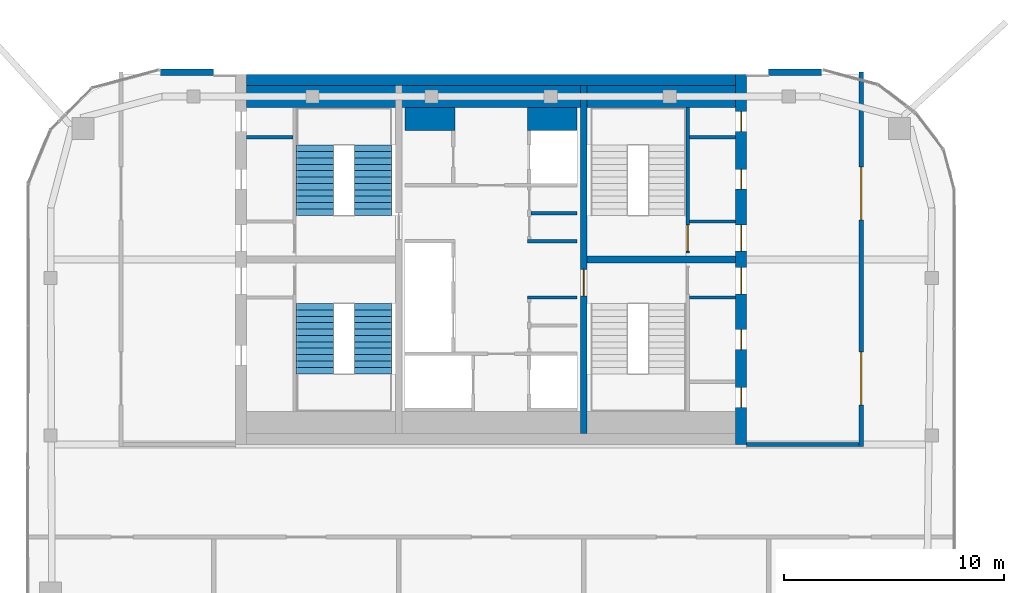
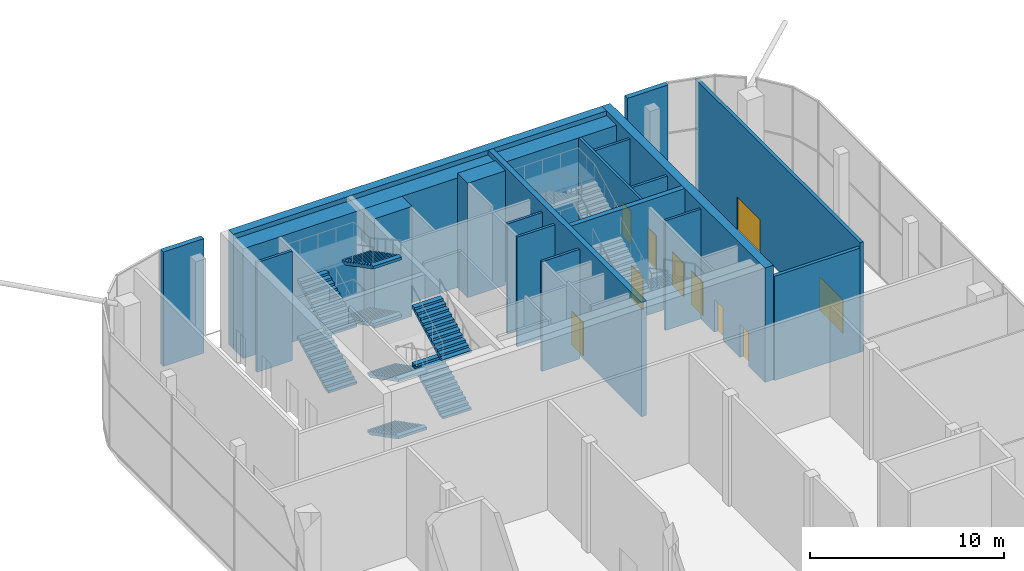
# One storey, part 20 of 23: 19 walls, 10 doors, 8 stair flights, 10 openings, 2 elements without a shape of their own.
"""IFC4 building model written with IfcOpenShell, lengths in metres."""

from ifc_helpers import new_model, si_unit, direction, frame, frame_2d, origin, place, context, subcontext, project, spatial, polyline, rectangle, outline, extrude, material, layer, layer_set, type_object, element, fill, aggregate, save


model = new_model("IFC4")

# Units and contexts
model_context = context("Model", 3, precision=1e-05, world=origin(), true_north=direction((0.0, 1.0)))
body_context = subcontext(model_context, "Body", "Model", "MODEL_VIEW")
ifc_project = project(units=[si_unit("LENGTHUNIT", "METRE"), si_unit("AREAUNIT", "SQUARE_METRE"), si_unit("VOLUMEUNIT", "CUBIC_METRE"), si_unit("PLANEANGLEUNIT", "RADIAN"), si_unit("MASSUNIT", "GRAM", prefix="KILO")], contexts=[model_context])

# Site, building, storey
site_placement = place(None, origin())
site = spatial("IfcSite", under=ifc_project, at=site_placement, CompositionType="ELEMENT")
building_placement = place(site_placement, origin())
building = spatial("IfcBuilding", under=site, at=building_placement, Name="Marenta Gate Hotel Tower", CompositionType="ELEMENT")
storey_placement = place(building_placement, frame((0.0, 0.0, 288.5)))
storey = spatial("IfcBuildingStorey", under=building, at=storey_placement, Name="L66", CompositionType="ELEMENT", Elevation=288.5)

# Walls
ifc_material_1 = material(Name="Concrete C40 board-marked", Category="concrete")
ifc_layer_1 = layer(ifc_material_1, 0.300048828125)
ifc_layer_set_1 = layer_set([ifc_layer_1], Name="Concrete C40 board-marked")
wall_type_1 = type_object("IfcWallType", Name="Board-marked concrete wall 300 mm", PredefinedType="NOTDEFINED", material=ifc_layer_set_1)
for number, where, z_axis, x_axis, name in (
    (1, (15.005859375, 16.889892578125, 0.0), (0.0, 0.0, 1.0), (-1.0, 0.0, 0.0), "L66-CLD-N00"),
    (2, (-12.60009765625, 16.889892578125, 0.0), (0.0, 0.0, 1.0), (-1.0, 0.0, 0.0), "L66-CLD-N01"),
):
    element("IfcWall", number, at=place(storey_placement, frame(where, z_axis=z_axis, x_axis=x_axis)), inside=storey, type_object=wall_type_1, Name=name, PredefinedType="NOTDEFINED", context=body_context, shape_type="SweptSolid", body=[
        extrude(rectangle(XDim=2.40576171875, YDim=0.300048828125, at=frame_2d((1.202880859375, 0.0))), origin(), (0.0, 0.0, 1.0), 7.199951171875),
    ])

# Wall, openings, doors
ifc_material_2 = material(Name="Concrete blockwork", Category="masonry")
ifc_layer_2 = layer(ifc_material_2, 0.199951171875)
ifc_layer_set_2 = layer_set([ifc_layer_2], Name="Concrete blockwork")
wall_type_2 = type_object("IfcWallType", Name="Core boundary wall 200 REI 180", PredefinedType="PARTITIONING", material=ifc_layer_set_2)
wall_1_placement = place(storey_placement, frame((16.800048828125, -0.10009765625, 0.0), z_axis=(0.0, 0.0, 1.0), x_axis=(0.0, 1.0, 0.0)))
wall_1 = element("IfcWall", 3, at=wall_1_placement, inside=storey, type_object=wall_type_2, Name="L66-CP-BW-E", PredefinedType="PARTITIONING", context=body_context, shape_type="SweptSolid", body=[
    extrude(rectangle(XDim=17.0, YDim=0.199951171875, at=frame_2d((8.5, 0.0))), origin(), (0.0, 0.0, 1.0), 6.89990234375),
])
opening_1_placement = place(wall_1_placement, frame((1.89990234375, 0.0, 0.0)))
opening_1 = element("IfcOpeningElement", 4, at=opening_1_placement, cuts=wall_1, Name="Opening ED-Ea-A", PredefinedType="OPENING", context=body_context, shape_type="SweptSolid", body=[
    extrude(rectangle(XDim=2.39990234375, YDim=2.10009765625, at=frame_2d((1.199951171875, 1.050048828125))), frame((0.0, 0.10009765625, 0.0), z_axis=(0.0, -1.0, 0.0), x_axis=(1.0, 0.0, 0.0)), (0.0, 0.0, 1.0), 0.199951171875),
])
opening_2_placement = place(wall_1_placement, frame((10.300048828125, 0.0, 0.0)))
opening_2 = element("IfcOpeningElement", 5, at=opening_2_placement, cuts=wall_1, Name="Opening ED-Eb-A", PredefinedType="OPENING", context=body_context, shape_type="SweptSolid", body=[
    extrude(rectangle(XDim=2.39990234375, YDim=2.10009765625, at=frame_2d((1.199951171875, 1.050048828125))), frame((0.0, 0.10009765625, 0.0), z_axis=(0.0, -1.0, 0.0), x_axis=(1.0, 0.0, 0.0)), (0.0, 0.0, 1.0), 0.199951171875),
])
ifc_material_3 = material(Name="Steel", Category="steel")
door_type_1 = type_object("IfcDoorType", Name="Core lobby entrance door 2400x2100 EI 60", OperationType="DOUBLE_DOOR_SINGLE_SWING", PredefinedType="DOOR", material=ifc_material_3)
door_1_placement = place(opening_1_placement, origin())
door_1 = element("IfcDoor", 6, at=door_1_placement, inside=storey, type_object=door_type_1, Name="ED-Ea-A", OperationType="DOUBLE_DOOR_SINGLE_SWING", OverallHeight=2.10009765625, OverallWidth=2.39990234375, PredefinedType="DOOR", context=body_context, shape_type="SweptSolid", body=[
    extrude(rectangle(XDim=2.39990234375, YDim=2.10009765625, at=frame_2d((1.199951171875, 1.050048828125))), frame((0.0, 0.02490234375, 0.0), z_axis=(0.0, -1.0, 0.0), x_axis=(1.0, 0.0, 0.0)), (0.0, 0.0, 1.0), 0.050048828125),
])
fill(opening_1, door_1)
door_2_placement = place(opening_2_placement, origin())
door_2 = element("IfcDoor", 7, at=door_2_placement, inside=storey, type_object=door_type_1, Name="ED-Eb-A", OperationType="DOUBLE_DOOR_SINGLE_SWING", OverallHeight=2.10009765625, OverallWidth=2.39990234375, PredefinedType="DOOR", context=body_context, shape_type="SweptSolid", body=[
    extrude(rectangle(XDim=2.39990234375, YDim=2.10009765625, at=frame_2d((1.199951171875, 1.050048828125))), frame((0.0, 0.02490234375, 0.0), z_axis=(0.0, -1.0, 0.0), x_axis=(1.0, 0.0, 0.0)), (0.0, 0.0, 1.0), 0.050048828125),
])
fill(opening_2, door_2)

# Walls
wall_2_placement = place(storey_placement, frame((11.60009765625, 0.0, 0.0), z_axis=(0.0, 0.0, 1.0), x_axis=(1.0, 0.0, 0.0)))
element("IfcWall", 8, at=wall_2_placement, inside=storey, type_object=wall_type_2, Name="L66-CP-EW-ES", PredefinedType="PARTITIONING", context=body_context, shape_type="SweptSolid", body=[
    extrude(rectangle(XDim=5.099853515625, YDim=0.199951171875, at=frame_2d((2.5498046875, 0.0))), origin(), (0.0, 0.0, 1.0), 6.56005859375),
])
ifc_material_4 = material(Name="Concrete C40", Category="concrete")
ifc_layer_3 = layer(ifc_material_4, 1.0)
ifc_layer_set_3 = layer_set([ifc_layer_3], Name="Concrete C40")
wall_type_3 = type_object("IfcWallType", Name="Core lining wall 1000 REI 180", PredefinedType="PARTITIONING", material=ifc_layer_set_3)
wall_3_placement = place(storey_placement, frame((-11.10009765625, 15.800048828125, 0.0), z_axis=(0.0, 0.0, 1.0), x_axis=(1.0, 0.0, 0.0)))
element("IfcWall", 9, at=wall_3_placement, inside=storey, type_object=wall_type_3, Name="L66-CP-LN-N", PredefinedType="PARTITIONING", context=body_context, shape_type="SweptSolid", body=[
    extrude(rectangle(XDim=22.2001953125, YDim=1.0, at=frame_2d((11.10009765625, 0.0))), origin(), (0.0, 0.0, 1.0), 6.89990234375),
])
ifc_material_5 = material(Name="Concrete blockwork", Category="masonry")
ifc_layer_4 = layer(ifc_material_5, 1.050048828125)
ifc_layer_set_4 = layer_set([ifc_layer_4], Name="Concrete blockwork")
wall_type_4 = type_object("IfcWallType", Name="Core room partition 1050 REI 180", PredefinedType="PARTITIONING", material=ifc_layer_set_4)
wall_4_placement = place(storey_placement, frame((-3.89990234375, 14.77490234375, 0.0), z_axis=(0.0, 0.0, 1.0), x_axis=(1.0, 0.0, 0.0)))
element("IfcWall", 10, at=wall_4_placement, inside=storey, type_object=wall_type_4, Name="L66-CP-CW-W-riser-N", PredefinedType="PARTITIONING", context=body_context, shape_type="SweptSolid", body=[
    extrude(rectangle(XDim=2.25, YDim=1.050048828125, at=frame_2d((1.125, 0.0))), origin(), (0.0, 0.0, 1.0), 6.89990234375),
])
ifc_material_6 = material(Name="Concrete blockwork", Category="masonry")
ifc_layer_5 = layer(ifc_material_6, 0.14990234375)
ifc_layer_set_5 = layer_set([ifc_layer_5], Name="Concrete blockwork")
wall_type_5 = type_object("IfcWallType", Name="Core room partition 150 REI 180", PredefinedType="PARTITIONING", material=ifc_layer_set_5)
for number, where, z_axis, x_axis, name in (
    (11, (-11.10009765625, 13.949951171875, 0.0), (0.0, 0.0, 1.0), (1.0, 0.0, 0.0), "L66-CP-RW-WN-1"),
    (12, (9.0, 6.675048828125, 0.0), (0.0, 0.0, 1.0), (1.0, 0.0, 0.0), "L66-CP-SW-ES-2"),
    (13, (9.0, 10.125, 0.0), (0.0, 0.0, 1.0), (1.0, 0.0, 0.0), "L66-CP-SW-EN-2"),
    (14, (9.0, 13.949951171875, 0.0), (0.0, 0.0, 1.0), (1.0, 0.0, 0.0), "L66-CP-RW-EN-1"),
):
    element("IfcWall", number, at=place(storey_placement, frame(where, z_axis=z_axis, x_axis=x_axis)), inside=storey, type_object=wall_type_5, Name=name, PredefinedType="PARTITIONING", context=body_context, shape_type="SweptSolid", body=[
        extrude(rectangle(XDim=2.10009765625, YDim=0.14990234375, at=frame_2d((1.050048828125, 0.0))), origin(), (0.0, 0.0, 1.0), 6.89990234375),
    ])
for number, where, z_axis, x_axis, name in (
    (15, (1.64990234375, 6.675048828125, 0.0), (0.0, 0.0, 1.0), (1.0, 0.0, 0.0), "L66-CP-CE-sep1"),
    (16, (1.64990234375, 9.22509765625, 0.0), (0.0, 0.0, 1.0), (1.0, 0.0, 0.0), "L66-CP-CE-sep2"),
):
    element("IfcWall", number, at=place(storey_placement, frame(where, z_axis=z_axis, x_axis=x_axis)), inside=storey, type_object=wall_type_5, Name=name, PredefinedType="PARTITIONING", context=body_context, shape_type="SweptSolid", body=[
        extrude(rectangle(XDim=2.25, YDim=0.14990234375, at=frame_2d((1.125, 0.0))), origin(), (0.0, 0.0, 1.0), 6.89990234375),
    ])
wall_5_placement = place(storey_placement, frame((1.800048828125, 10.5, 0.0), z_axis=(0.0, 0.0, 1.0), x_axis=(1.0, 0.0, 0.0)))
element("IfcWall", 17, at=wall_5_placement, inside=storey, type_object=wall_type_5, Name="L66-CP-CE-RW-2", PredefinedType="PARTITIONING", context=body_context, shape_type="SweptSolid", body=[
    extrude(rectangle(XDim=2.099853515625, YDim=0.14990234375, at=frame_2d((1.0498046875, 0.0))), origin(), (0.0, 0.0, 1.0), 6.89990234375),
])
ifc_material_7 = material(Name="Concrete C40", Category="concrete")
ifc_layer_6 = layer(ifc_material_7, 1.050048828125)
ifc_layer_set_6 = layer_set([ifc_layer_6], Name="Concrete C40")
wall_type_6 = type_object("IfcWallType", Name="Core shaft wall 1050 REI 180", PredefinedType="SHEAR", material=ifc_layer_set_6)
wall_6_placement = place(storey_placement, frame((1.64990234375, 14.77490234375, 0.0), z_axis=(0.0, 0.0, 1.0), x_axis=(1.0, 0.0, 0.0)))
element("IfcWall", 18, at=wall_6_placement, inside=storey, type_object=wall_type_6, Name="L66-SHF-CE-N-top", PredefinedType="SHEAR", context=body_context, shape_type="SweptSolid", body=[
    extrude(rectangle(XDim=2.25, YDim=1.050048828125, at=frame_2d((1.125, 0.0))), origin(), (0.0, 0.0, 1.0), 7.199951171875),
])

# Wall, opening, door
ifc_material_8 = material(Name="Concrete C40", Category="concrete")
ifc_layer_7 = layer(ifc_material_8, 0.14990234375)
ifc_layer_set_7 = layer_set([ifc_layer_7], Name="Concrete C40")
wall_type_7 = type_object("IfcWallType", Name="Core stair enclosure wall 150 REI 180", PredefinedType="SHEAR", material=ifc_layer_set_7)
wall_7_placement = place(storey_placement, frame((8.925048828125, 8.699951171875, 0.0), z_axis=(0.0, 0.0, 1.0), x_axis=(0.0, 1.0, 0.0)))
wall_7 = element("IfcWall", 19, at=wall_7_placement, inside=storey, type_object=wall_type_7, Name="L66-SHF-SW-EN-3", PredefinedType="SHEAR", context=body_context, shape_type="SweptSolid", body=[
    extrude(rectangle(XDim=6.60009765625, YDim=0.14990234375, at=frame_2d((3.300048828125, 0.0))), origin(), (0.0, 0.0, 1.0), 6.89990234375),
])
opening_3_placement = place(wall_7_placement, frame((0.074951171875, 0.0, 0.0)))
opening_3 = element("IfcOpeningElement", 20, at=opening_3_placement, cuts=wall_7, Name="Opening SD-EN", PredefinedType="OPENING", context=body_context, shape_type="SweptSolid", body=[
    extrude(rectangle(XDim=1.199951171875, YDim=2.10009765625, at=frame_2d((0.60009765625, 1.050048828125))), frame((0.0, 0.074951171875, 0.0), z_axis=(0.0, -1.0, 0.0), x_axis=(1.0, 0.0, 0.0)), (0.0, 0.0, 1.0), 0.14990234375),
])
ifc_material_9 = material(Name="Steel", Category="steel")
door_type_2 = type_object("IfcDoorType", Name="Core stair door 1200x2100 FD60", OperationType="SINGLE_SWING_LEFT", PredefinedType="DOOR", material=ifc_material_9)
door_3_placement = place(opening_3_placement, origin())
door_3 = element("IfcDoor", 21, at=door_3_placement, inside=storey, type_object=door_type_2, Name="SD-EN", OperationType="SINGLE_SWING_LEFT", OverallHeight=2.10009765625, OverallWidth=1.199951171875, PredefinedType="DOOR", context=body_context, shape_type="SweptSolid", body=[
    extrude(rectangle(XDim=1.199951171875, YDim=2.10009765625, at=frame_2d((0.60009765625, 1.050048828125))), frame((0.0, 0.02490234375, 0.0), z_axis=(0.0, -1.0, 0.0), x_axis=(1.0, 0.0, 0.0)), (0.0, 0.0, 1.0), 0.050048828125),
])
fill(opening_3, door_3)

# Wall, openings, doors
ifc_material_10 = material(Name="Concrete C50", Category="concrete")
ifc_layer_8 = layer(ifc_material_10, 0.5)
ifc_layer_set_8 = layer_set([ifc_layer_8], Name="Concrete C50")
wall_type_8 = type_object("IfcWallType", Name="Core wall 500 C50", PredefinedType="SHEAR", material=ifc_layer_set_8)
wall_8_placement = place(storey_placement, frame((11.35009765625, 0.0, 0.0), z_axis=(0.0, 0.0, 1.0), x_axis=(0.0, 1.0, 0.0)))
wall_8 = element("IfcWall", 22, at=wall_8_placement, inside=storey, type_object=wall_type_8, Name="L66-CORE-E", PredefinedType="SHEAR", context=body_context, shape_type="SweptSolid", body=[
    extrude(rectangle(XDim=16.800048828125, YDim=0.5, at=frame_2d((8.39990234375, 0.0))), origin(), (0.0, 0.0, 1.0), 7.199951171875),
])
opening_4_placement = place(wall_8_placement, frame((1.6875, 0.0, 0.0)))
opening_4 = element("IfcOpeningElement", 23, at=opening_4_placement, cuts=wall_8, Name="Opening RD-ES-1", PredefinedType="OPENING", context=body_context, shape_type="SweptSolid", body=[
    extrude(rectangle(XDim=0.89990234375, YDim=2.10009765625, at=frame_2d((0.449951171875, 1.050048828125))), frame((0.0, 0.25, 0.0), z_axis=(0.0, -1.0, 0.0), x_axis=(1.0, 0.0, 0.0)), (0.0, 0.0, 1.0), 0.5),
])
opening_5_placement = place(wall_8_placement, frame((4.3125, 0.0, 0.0)))
opening_5 = element("IfcOpeningElement", 24, at=opening_5_placement, cuts=wall_8, Name="Opening RD-ES-2", PredefinedType="OPENING", context=body_context, shape_type="SweptSolid", body=[
    extrude(rectangle(XDim=0.89990234375, YDim=2.10009765625, at=frame_2d((0.449951171875, 1.050048828125))), frame((0.0, 0.25, 0.0), z_axis=(0.0, -1.0, 0.0), x_axis=(1.0, 0.0, 0.0)), (0.0, 0.0, 1.0), 0.5),
])
opening_6_placement = place(wall_8_placement, frame((6.824951171875, 0.0, 0.0)))
opening_6 = element("IfcOpeningElement", 25, at=opening_6_placement, cuts=wall_8, Name="Opening PD-ES", PredefinedType="OPENING", context=body_context, shape_type="SweptSolid", body=[
    extrude(rectangle(XDim=1.199951171875, YDim=2.10009765625, at=frame_2d((0.60009765625, 1.050048828125))), frame((0.0, 0.25, 0.0), z_axis=(0.0, -1.0, 0.0), x_axis=(1.0, 0.0, 0.0)), (0.0, 0.0, 1.0), 0.5),
])
opening_7_placement = place(wall_8_placement, frame((14.21240234375, 0.0, 0.0)))
opening_7 = element("IfcOpeningElement", 26, at=opening_7_placement, cuts=wall_8, Name="Opening RD-EN-1", PredefinedType="OPENING", context=body_context, shape_type="SweptSolid", body=[
    extrude(rectangle(XDim=0.89990234375, YDim=2.10009765625, at=frame_2d((0.449951171875, 1.050048828125))), frame((0.0, 0.25, 0.0), z_axis=(0.0, -1.0, 0.0), x_axis=(1.0, 0.0, 0.0)), (0.0, 0.0, 1.0), 0.5),
])
opening_8_placement = place(wall_8_placement, frame((11.58740234375, 0.0, 0.0)))
opening_8 = element("IfcOpeningElement", 27, at=opening_8_placement, cuts=wall_8, Name="Opening RD-EN-2", PredefinedType="OPENING", context=body_context, shape_type="SweptSolid", body=[
    extrude(rectangle(XDim=0.89990234375, YDim=2.10009765625, at=frame_2d((0.449951171875, 1.050048828125))), frame((0.0, 0.25, 0.0), z_axis=(0.0, -1.0, 0.0), x_axis=(1.0, 0.0, 0.0)), (0.0, 0.0, 1.0), 0.5),
])
opening_9_placement = place(wall_8_placement, frame((8.77490234375, 0.0, 0.0)))
opening_9 = element("IfcOpeningElement", 28, at=opening_9_placement, cuts=wall_8, Name="Opening PD-EN", PredefinedType="OPENING", context=body_context, shape_type="SweptSolid", body=[
    extrude(rectangle(XDim=1.199951171875, YDim=2.10009765625, at=frame_2d((0.60009765625, 1.050048828125))), frame((0.0, 0.25, 0.0), z_axis=(0.0, -1.0, 0.0), x_axis=(1.0, 0.0, 0.0)), (0.0, 0.0, 1.0), 0.5),
])
ifc_material_11 = material(Name="Steel", Category="steel")
door_type_3 = type_object("IfcDoorType", Name="Core lobby door 1200x2100 FD60", OperationType="SINGLE_SWING_LEFT", PredefinedType="DOOR", material=ifc_material_11)
door_4_placement = place(opening_6_placement, origin())
door_4 = element("IfcDoor", 29, at=door_4_placement, inside=storey, type_object=door_type_3, Name="PD-ES", OperationType="SINGLE_SWING_LEFT", OverallHeight=2.10009765625, OverallWidth=1.199951171875, PredefinedType="DOOR", context=body_context, shape_type="SweptSolid", body=[
    extrude(rectangle(XDim=1.199951171875, YDim=2.10009765625, at=frame_2d((0.60009765625, 1.050048828125))), frame((0.0, 0.02490234375, 0.0), z_axis=(0.0, -1.0, 0.0), x_axis=(1.0, 0.0, 0.0)), (0.0, 0.0, 1.0), 0.050048828125),
])
fill(opening_6, door_4)
door_5_placement = place(opening_9_placement, origin())
door_5 = element("IfcDoor", 30, at=door_5_placement, inside=storey, type_object=door_type_3, Name="PD-EN", OperationType="SINGLE_SWING_LEFT", OverallHeight=2.10009765625, OverallWidth=1.199951171875, PredefinedType="DOOR", context=body_context, shape_type="SweptSolid", body=[
    extrude(rectangle(XDim=1.199951171875, YDim=2.10009765625, at=frame_2d((0.60009765625, 1.050048828125))), frame((0.0, 0.02490234375, 0.0), z_axis=(0.0, -1.0, 0.0), x_axis=(1.0, 0.0, 0.0)), (0.0, 0.0, 1.0), 0.050048828125),
])
fill(opening_9, door_5)
ifc_material_12 = material(Name="Steel", Category="steel")
door_type_4 = type_object("IfcDoorType", Name="Core service room door 900x2100 FD30S", OperationType="SINGLE_SWING_LEFT", PredefinedType="DOOR", material=ifc_material_12)
door_6_placement = place(opening_4_placement, origin())
door_6 = element("IfcDoor", 31, at=door_6_placement, inside=storey, type_object=door_type_4, Name="RD-ES-1", OperationType="SINGLE_SWING_LEFT", OverallHeight=2.10009765625, OverallWidth=0.89990234375, PredefinedType="DOOR", context=body_context, shape_type="SweptSolid", body=[
    extrude(rectangle(XDim=0.89990234375, YDim=2.10009765625, at=frame_2d((0.449951171875, 1.050048828125))), frame((0.0, 0.02490234375, 0.0), z_axis=(0.0, -1.0, 0.0), x_axis=(1.0, 0.0, 0.0)), (0.0, 0.0, 1.0), 0.050048828125),
])
fill(opening_4, door_6)
door_7_placement = place(opening_5_placement, origin())
door_7 = element("IfcDoor", 32, at=door_7_placement, inside=storey, type_object=door_type_4, Name="RD-ES-2", OperationType="SINGLE_SWING_LEFT", OverallHeight=2.10009765625, OverallWidth=0.89990234375, PredefinedType="DOOR", context=body_context, shape_type="SweptSolid", body=[
    extrude(rectangle(XDim=0.89990234375, YDim=2.10009765625, at=frame_2d((0.449951171875, 1.050048828125))), frame((0.0, 0.02490234375, 0.0), z_axis=(0.0, -1.0, 0.0), x_axis=(1.0, 0.0, 0.0)), (0.0, 0.0, 1.0), 0.050048828125),
])
fill(opening_5, door_7)
door_8_placement = place(opening_7_placement, origin())
door_8 = element("IfcDoor", 33, at=door_8_placement, inside=storey, type_object=door_type_4, Name="RD-EN-1", OperationType="SINGLE_SWING_LEFT", OverallHeight=2.10009765625, OverallWidth=0.89990234375, PredefinedType="DOOR", context=body_context, shape_type="SweptSolid", body=[
    extrude(rectangle(XDim=0.89990234375, YDim=2.10009765625, at=frame_2d((0.449951171875, 1.050048828125))), frame((0.0, 0.02490234375, 0.0), z_axis=(0.0, -1.0, 0.0), x_axis=(1.0, 0.0, 0.0)), (0.0, 0.0, 1.0), 0.050048828125),
])
fill(opening_7, door_8)
door_9_placement = place(opening_8_placement, origin())
door_9 = element("IfcDoor", 34, at=door_9_placement, inside=storey, type_object=door_type_4, Name="RD-EN-2", OperationType="SINGLE_SWING_LEFT", OverallHeight=2.10009765625, OverallWidth=0.89990234375, PredefinedType="DOOR", context=body_context, shape_type="SweptSolid", body=[
    extrude(rectangle(XDim=0.89990234375, YDim=2.10009765625, at=frame_2d((0.449951171875, 1.050048828125))), frame((0.0, 0.02490234375, 0.0), z_axis=(0.0, -1.0, 0.0), x_axis=(1.0, 0.0, 0.0)), (0.0, 0.0, 1.0), 0.050048828125),
])
fill(opening_8, door_9)

# Wall
wall_9_placement = place(storey_placement, frame((-11.10009765625, 16.550048828125, 0.0), z_axis=(0.0, 0.0, 1.0), x_axis=(1.0, 0.0, 0.0)))
element("IfcWall", 35, at=wall_9_placement, inside=storey, type_object=wall_type_8, Name="L66-CORE-N", PredefinedType="SHEAR", context=body_context, shape_type="SweptSolid", body=[
    extrude(rectangle(XDim=22.2001953125, YDim=0.5, at=frame_2d((11.10009765625, 0.0))), origin(), (0.0, 0.0, 1.0), 7.199951171875),
])

# Wall, opening, door
ifc_material_13 = material(Name="Concrete C50", Category="concrete")
ifc_layer_9 = layer(ifc_material_13, 0.300048828125)
ifc_layer_set_9 = layer_set([ifc_layer_9], Name="Concrete C50")
wall_type_9 = type_object("IfcWallType", Name="Core web 300 C50", PredefinedType="SHEAR", material=ifc_layer_set_9)
wall_10_placement = place(storey_placement, frame((4.199951171875, 0.5, 0.0), z_axis=(0.0, 0.0, 1.0), x_axis=(0.0, 1.0, 0.0)))
wall_10 = element("IfcWall", 36, at=wall_10_placement, inside=storey, type_object=wall_type_9, Name="L66-CORE-W2", PredefinedType="SHEAR", context=body_context, shape_type="SweptSolid", body=[
    extrude(rectangle(XDim=15.800048828125, YDim=0.300048828125, at=frame_2d((7.89990234375, 0.0))), origin(), (0.0, 0.0, 1.0), 7.199951171875),
])
opening_10_placement = place(wall_10_placement, frame((6.25, 0.0, 0.0)))
opening_10 = element("IfcOpeningElement", 37, at=opening_10_placement, cuts=wall_10, Name="Opening WD-E", PredefinedType="OPENING", context=body_context, shape_type="SweptSolid", body=[
    extrude(rectangle(XDim=1.199951171875, YDim=2.10009765625, at=frame_2d((0.60009765625, 1.050048828125))), frame((0.0, 0.14990234375, 0.0), z_axis=(0.0, -1.0, 0.0), x_axis=(1.0, 0.0, 0.0)), (0.0, 0.0, 1.0), 0.300048828125),
])
door_10_placement = place(opening_10_placement, origin())
door_10 = element("IfcDoor", 38, at=door_10_placement, inside=storey, type_object=door_type_2, Name="WD-E", OperationType="SINGLE_SWING_LEFT", OverallHeight=2.10009765625, OverallWidth=1.199951171875, PredefinedType="DOOR", context=body_context, shape_type="SweptSolid", body=[
    extrude(rectangle(XDim=1.199951171875, YDim=2.10009765625, at=frame_2d((0.60009765625, 1.050048828125))), frame((0.0, 0.02490234375, 0.0), z_axis=(0.0, -1.0, 0.0), x_axis=(1.0, 0.0, 0.0)), (0.0, 0.0, 1.0), 0.050048828125),
])
fill(opening_10, door_10)

# Wall
wall_11_placement = place(storey_placement, frame((4.35009765625, 8.39990234375, 0.0), z_axis=(0.0, 0.0, 1.0), x_axis=(1.0, 0.0, 0.0)))
element("IfcWall", 39, at=wall_11_placement, inside=storey, type_object=wall_type_9, Name="L66-CORE-W4", PredefinedType="SHEAR", context=body_context, shape_type="SweptSolid", body=[
    extrude(rectangle(XDim=6.75, YDim=0.300048828125, at=frame_2d((3.375, 0.0))), origin(), (0.0, 0.0, 1.0), 7.199951171875),
])

# Stair, stair flights
ifc_material_14 = material(Name="Concrete C40", Category="concrete")
stair_type = type_object("IfcStairType", Name="Core exit stair 1700 wide", PredefinedType="HALF_TURN_STAIR", material=ifc_material_14)
stair_1_placement = place(storey_placement, origin())
stair_1 = element("IfcStair", 40, at=stair_1_placement, inside=storey, type_object=stair_type, Name="Exit stair 1", PredefinedType="HALF_TURN_STAIR")
ifc_material_15 = material(Name="Concrete C40", Category="concrete")
stair_flight_type = type_object("IfcStairFlightType", Name="Core stair flight 1700 riser 150.0 going 290", PredefinedType="STRAIGHT", material=ifc_material_15)
stair_flight_1_placement = place(storey_placement, frame((-8.0, 6.39990234375, 0.0), z_axis=(0.0, 0.0, 1.0), x_axis=(0.0, -1.0, 0.0)))
stair_flight_1 = element("IfcStairFlight", 41, at=stair_flight_1_placement, type_object=stair_flight_type, Name="ST1 flight 1", NumberOfRisers=12, NumberOfTreads=11, PredefinedType="STRAIGHT", RiserHeight=0.15, TreadLength=0.29, context=body_context, shape_type="SweptSolid", body=[
    extrude(outline(polyline([(0.0, 0.0), (0.0, 0.14990234375), (0.2900390625, 0.14990234375), (0.2900390625, 0.300048828125), (0.580078125, 0.300048828125), (0.580078125, 0.449951171875), (0.8701171875, 0.449951171875), (0.8701171875, 0.60009765625), (1.159912109375, 0.60009765625), (1.159912109375, 0.75), (1.449951171875, 0.75), (1.449951171875, 0.89990234375), (1.739990234375, 0.89990234375), (1.739990234375, 1.050048828125), (2.030029296875, 1.050048828125), (2.030029296875, 1.199951171875), (2.320068359375, 1.199951171875), (2.320068359375, 1.35009765625), (2.610107421875, 1.35009765625), (2.610107421875, 1.5), (2.89990234375, 1.5), (2.89990234375, 1.64990234375), (3.18994140625, 1.64990234375), (3.18994140625, 1.800048828125), (3.18994140625, 1.481201171875), (0.326171875, 0.0), (0.0, 0.0)])), frame((0.0, 0.85009765625, 0.0), z_axis=(0.0, -1.0, 0.0), x_axis=(1.0, 0.0, 0.0)), (0.0, 0.0, 1.0), 1.699951171875),
])
stair_flight_2_placement = place(storey_placement, frame((-5.35009765625, 3.2099609375, 1.800048828125), z_axis=(0.0, 0.0, 1.0), x_axis=(0.0, 1.0, 0.0)))
stair_flight_2 = element("IfcStairFlight", 42, at=stair_flight_2_placement, type_object=stair_flight_type, Name="ST1 flight 2", NumberOfRisers=12, NumberOfTreads=11, PredefinedType="STRAIGHT", RiserHeight=0.15, TreadLength=0.29, context=body_context, shape_type="SweptSolid", body=[
    extrude(outline(polyline([(0.0, 0.0), (0.0, 0.14990234375), (0.2900390625, 0.14990234375), (0.2900390625, 0.300048828125), (0.580078125, 0.300048828125), (0.580078125, 0.449951171875), (0.8701171875, 0.449951171875), (0.8701171875, 0.60009765625), (1.159912109375, 0.60009765625), (1.159912109375, 0.75), (1.449951171875, 0.75), (1.449951171875, 0.89990234375), (1.739990234375, 0.89990234375), (1.739990234375, 1.050048828125), (2.030029296875, 1.050048828125), (2.030029296875, 1.199951171875), (2.320068359375, 1.199951171875), (2.320068359375, 1.35009765625), (2.610107421875, 1.35009765625), (2.610107421875, 1.5), (2.89990234375, 1.5), (2.89990234375, 1.64990234375), (3.18994140625, 1.64990234375), (3.18994140625, 1.800048828125), (3.18994140625, 1.481201171875), (0.326171875, 0.0), (0.0, 0.0)])), frame((0.0, 0.85009765625, 0.0), z_axis=(0.0, -1.0, 0.0), x_axis=(1.0, 0.0, 0.0)), (0.0, 0.0, 1.0), 1.699951171875),
])
stair_flight_3_placement = place(storey_placement, frame((-8.0, 6.39990234375, 3.60009765625), z_axis=(0.0, 0.0, 1.0), x_axis=(0.0, -1.0, 0.0)))
stair_flight_3 = element("IfcStairFlight", 43, at=stair_flight_3_placement, type_object=stair_flight_type, Name="ST1 flight 3", NumberOfRisers=12, NumberOfTreads=11, PredefinedType="STRAIGHT", RiserHeight=0.15, TreadLength=0.29, context=body_context, shape_type="SweptSolid", body=[
    extrude(outline(polyline([(0.0, 0.0), (0.0, 0.14990234375), (0.2900390625, 0.14990234375), (0.2900390625, 0.300048828125), (0.580078125, 0.300048828125), (0.580078125, 0.449951171875), (0.8701171875, 0.449951171875), (0.8701171875, 0.60009765625), (1.159912109375, 0.60009765625), (1.159912109375, 0.75), (1.449951171875, 0.75), (1.449951171875, 0.89990234375), (1.739990234375, 0.89990234375), (1.739990234375, 1.050048828125), (2.030029296875, 1.050048828125), (2.030029296875, 1.199951171875), (2.320068359375, 1.199951171875), (2.320068359375, 1.35009765625), (2.610107421875, 1.35009765625), (2.610107421875, 1.5), (2.89990234375, 1.5), (2.89990234375, 1.64990234375), (3.18994140625, 1.64990234375), (3.18994140625, 1.800048828125), (3.18994140625, 1.481201171875), (0.326171875, 0.0), (0.0, 0.0)])), frame((0.0, 0.85009765625, 0.0), z_axis=(0.0, -1.0, 0.0), x_axis=(1.0, 0.0, 0.0)), (0.0, 0.0, 1.0), 1.699951171875),
])
stair_flight_4_placement = place(storey_placement, frame((-5.35009765625, 3.2099609375, 5.39990234375), z_axis=(0.0, 0.0, 1.0), x_axis=(0.0, 1.0, 0.0)))
stair_flight_4 = element("IfcStairFlight", 44, at=stair_flight_4_placement, type_object=stair_flight_type, Name="ST1 flight 4", NumberOfRisers=12, NumberOfTreads=11, PredefinedType="STRAIGHT", RiserHeight=0.15, TreadLength=0.29, context=body_context, shape_type="SweptSolid", body=[
    extrude(outline(polyline([(0.0, 0.0), (0.0, 0.14990234375), (0.2900390625, 0.14990234375), (0.2900390625, 0.300048828125), (0.580078125, 0.300048828125), (0.580078125, 0.449951171875), (0.8701171875, 0.449951171875), (0.8701171875, 0.60009765625), (1.159912109375, 0.60009765625), (1.159912109375, 0.75), (1.449951171875, 0.75), (1.449951171875, 0.89990234375), (1.739990234375, 0.89990234375), (1.739990234375, 1.050048828125), (2.030029296875, 1.050048828125), (2.030029296875, 1.199951171875), (2.320068359375, 1.199951171875), (2.320068359375, 1.35009765625), (2.610107421875, 1.35009765625), (2.610107421875, 1.5), (2.89990234375, 1.5), (2.89990234375, 1.64990234375), (3.18994140625, 1.64990234375), (3.18994140625, 1.800048828125), (3.18994140625, 1.481201171875), (0.326171875, 0.0), (0.0, 0.0)])), frame((0.0, 0.85009765625, 0.0), z_axis=(0.0, -1.0, 0.0), x_axis=(1.0, 0.0, 0.0)), (0.0, 0.0, 1.0), 1.699951171875),
])
aggregate(stair_1, [stair_flight_1, stair_flight_2, stair_flight_3, stair_flight_4])

stair_2_placement = place(storey_placement, origin())
stair_2 = element("IfcStair", 45, at=stair_2_placement, inside=storey, type_object=stair_type, Name="Exit stair 2", PredefinedType="HALF_TURN_STAIR")
stair_flight_5_placement = place(storey_placement, frame((-8.0, 10.39990234375, 0.0), z_axis=(0.0, 0.0, 1.0), x_axis=(0.0, 1.0, 0.0)))
stair_flight_5 = element("IfcStairFlight", 46, at=stair_flight_5_placement, type_object=stair_flight_type, Name="ST2 flight 1", NumberOfRisers=12, NumberOfTreads=11, PredefinedType="STRAIGHT", RiserHeight=0.15, TreadLength=0.29, context=body_context, shape_type="SweptSolid", body=[
    extrude(outline(polyline([(0.0, 0.0), (0.0, 0.14990234375), (0.2900390625, 0.14990234375), (0.2900390625, 0.300048828125), (0.580078125, 0.300048828125), (0.580078125, 0.449951171875), (0.8701171875, 0.449951171875), (0.8701171875, 0.60009765625), (1.159912109375, 0.60009765625), (1.159912109375, 0.75), (1.449951171875, 0.75), (1.449951171875, 0.89990234375), (1.739990234375, 0.89990234375), (1.739990234375, 1.050048828125), (2.030029296875, 1.050048828125), (2.030029296875, 1.199951171875), (2.320068359375, 1.199951171875), (2.320068359375, 1.35009765625), (2.610107421875, 1.35009765625), (2.610107421875, 1.5), (2.89990234375, 1.5), (2.89990234375, 1.64990234375), (3.18994140625, 1.64990234375), (3.18994140625, 1.800048828125), (3.18994140625, 1.481201171875), (0.326171875, 0.0), (0.0, 0.0)])), frame((0.0, 0.85009765625, 0.0), z_axis=(0.0, -1.0, 0.0), x_axis=(1.0, 0.0, 0.0)), (0.0, 0.0, 1.0), 1.699951171875),
])
stair_flight_6_placement = place(storey_placement, frame((-5.35009765625, 13.590087890625, 1.800048828125), z_axis=(0.0, 0.0, 1.0), x_axis=(0.0, -1.0, 0.0)))
stair_flight_6 = element("IfcStairFlight", 47, at=stair_flight_6_placement, type_object=stair_flight_type, Name="ST2 flight 2", NumberOfRisers=12, NumberOfTreads=11, PredefinedType="STRAIGHT", RiserHeight=0.15, TreadLength=0.29, context=body_context, shape_type="SweptSolid", body=[
    extrude(outline(polyline([(0.0, 0.0), (0.0, 0.14990234375), (0.2900390625, 0.14990234375), (0.2900390625, 0.300048828125), (0.580078125, 0.300048828125), (0.580078125, 0.449951171875), (0.8701171875, 0.449951171875), (0.8701171875, 0.60009765625), (1.159912109375, 0.60009765625), (1.159912109375, 0.75), (1.449951171875, 0.75), (1.449951171875, 0.89990234375), (1.739990234375, 0.89990234375), (1.739990234375, 1.050048828125), (2.030029296875, 1.050048828125), (2.030029296875, 1.199951171875), (2.320068359375, 1.199951171875), (2.320068359375, 1.35009765625), (2.610107421875, 1.35009765625), (2.610107421875, 1.5), (2.89990234375, 1.5), (2.89990234375, 1.64990234375), (3.18994140625, 1.64990234375), (3.18994140625, 1.800048828125), (3.18994140625, 1.481201171875), (0.326171875, 0.0), (0.0, 0.0)])), frame((0.0, 0.85009765625, 0.0), z_axis=(0.0, -1.0, 0.0), x_axis=(1.0, 0.0, 0.0)), (0.0, 0.0, 1.0), 1.699951171875),
])
stair_flight_7_placement = place(storey_placement, frame((-8.0, 10.39990234375, 3.60009765625), z_axis=(0.0, 0.0, 1.0), x_axis=(0.0, 1.0, 0.0)))
stair_flight_7 = element("IfcStairFlight", 48, at=stair_flight_7_placement, type_object=stair_flight_type, Name="ST2 flight 3", NumberOfRisers=12, NumberOfTreads=11, PredefinedType="STRAIGHT", RiserHeight=0.15, TreadLength=0.29, context=body_context, shape_type="SweptSolid", body=[
    extrude(outline(polyline([(0.0, 0.0), (0.0, 0.14990234375), (0.2900390625, 0.14990234375), (0.2900390625, 0.300048828125), (0.580078125, 0.300048828125), (0.580078125, 0.449951171875), (0.8701171875, 0.449951171875), (0.8701171875, 0.60009765625), (1.159912109375, 0.60009765625), (1.159912109375, 0.75), (1.449951171875, 0.75), (1.449951171875, 0.89990234375), (1.739990234375, 0.89990234375), (1.739990234375, 1.050048828125), (2.030029296875, 1.050048828125), (2.030029296875, 1.199951171875), (2.320068359375, 1.199951171875), (2.320068359375, 1.35009765625), (2.610107421875, 1.35009765625), (2.610107421875, 1.5), (2.89990234375, 1.5), (2.89990234375, 1.64990234375), (3.18994140625, 1.64990234375), (3.18994140625, 1.800048828125), (3.18994140625, 1.481201171875), (0.326171875, 0.0), (0.0, 0.0)])), frame((0.0, 0.85009765625, 0.0), z_axis=(0.0, -1.0, 0.0), x_axis=(1.0, 0.0, 0.0)), (0.0, 0.0, 1.0), 1.699951171875),
])
stair_flight_8_placement = place(storey_placement, frame((-5.35009765625, 13.590087890625, 5.39990234375), z_axis=(0.0, 0.0, 1.0), x_axis=(0.0, -1.0, 0.0)))
stair_flight_8 = element("IfcStairFlight", 49, at=stair_flight_8_placement, type_object=stair_flight_type, Name="ST2 flight 4", NumberOfRisers=12, NumberOfTreads=11, PredefinedType="STRAIGHT", RiserHeight=0.15, TreadLength=0.29, context=body_context, shape_type="SweptSolid", body=[
    extrude(outline(polyline([(0.0, 0.0), (0.0, 0.14990234375), (0.2900390625, 0.14990234375), (0.2900390625, 0.300048828125), (0.580078125, 0.300048828125), (0.580078125, 0.449951171875), (0.8701171875, 0.449951171875), (0.8701171875, 0.60009765625), (1.159912109375, 0.60009765625), (1.159912109375, 0.75), (1.449951171875, 0.75), (1.449951171875, 0.89990234375), (1.739990234375, 0.89990234375), (1.739990234375, 1.050048828125), (2.030029296875, 1.050048828125), (2.030029296875, 1.199951171875), (2.320068359375, 1.199951171875), (2.320068359375, 1.35009765625), (2.610107421875, 1.35009765625), (2.610107421875, 1.5), (2.89990234375, 1.5), (2.89990234375, 1.64990234375), (3.18994140625, 1.64990234375), (3.18994140625, 1.800048828125), (3.18994140625, 1.481201171875), (0.326171875, 0.0), (0.0, 0.0)])), frame((0.0, 0.85009765625, 0.0), z_axis=(0.0, -1.0, 0.0), x_axis=(1.0, 0.0, 0.0)), (0.0, 0.0, 1.0), 1.699951171875),
])
aggregate(stair_2, [stair_flight_5, stair_flight_6, stair_flight_7, stair_flight_8])

save(model, "model.ifc")
